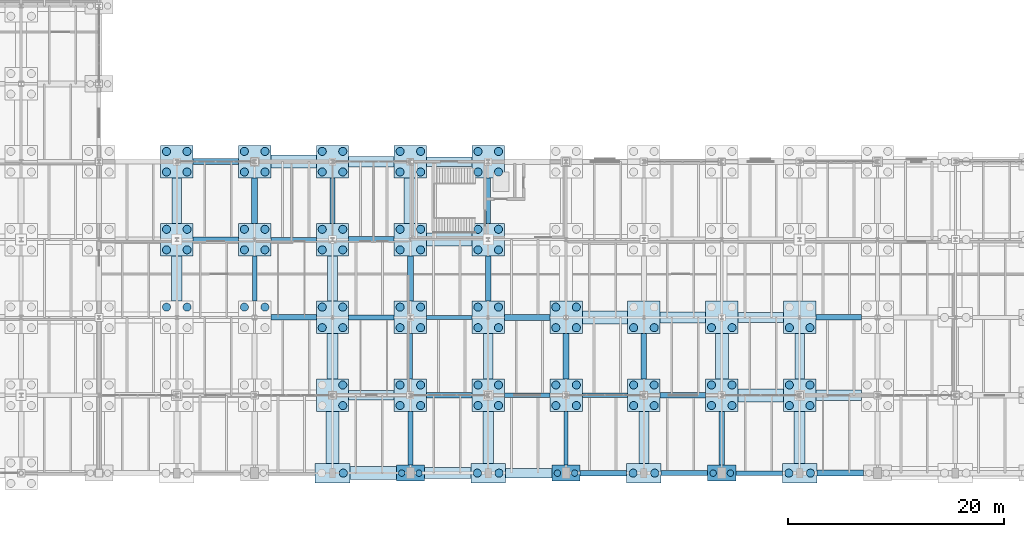
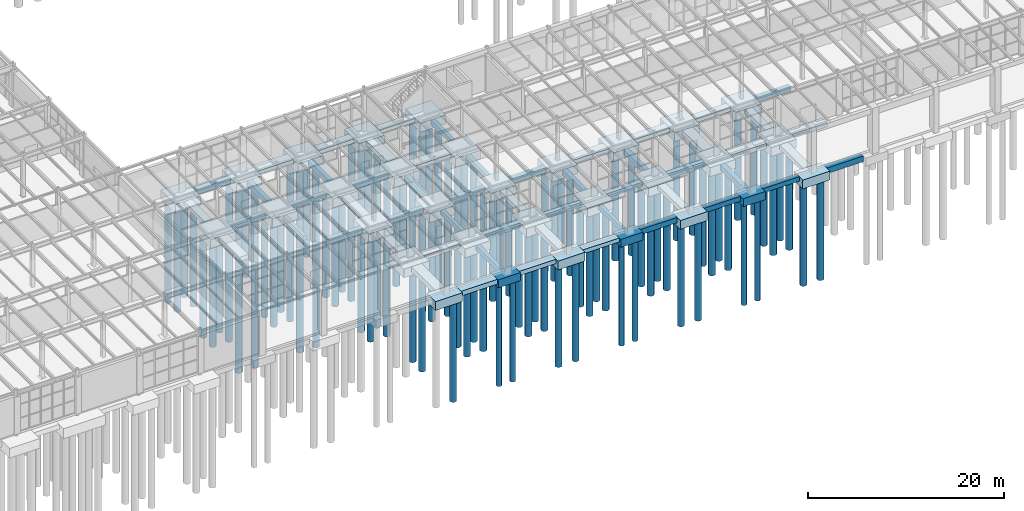
# One storey, part 5 of 293: 105 piles, 85 footings.
"""IFC4 building model written with IfcOpenShell, lengths in metres."""

import ifcopenshell
import ifcopenshell.guid

model = None  # the IFC model being written
_history = None  # IfcOwnerHistory: only IFC2X3 demands one
_inside = {}  # id of a spatial element -> (the spatial element, [elements in it])
_under = {}  # id of a project, library or spatial element -> (it, [spatial elements below it])
_declared = {}  # id of a project -> (the project, [libraries it declares])
_typed = {}  # id of a type object -> (the type object, [elements of that type])
_made_of = {}  # id of a material, layer set ... -> (it, [elements and type objects made of it])


def new_model(schema):
    """Start an empty IFC model of exactly this schema.

    Asked for "IFC4X3", IfcOpenShell would pick the latest addendum, in which some entities
    have other attributes; the version numbers below select the first issue.
    IFC2X3 requires an IfcOwnerHistory on every rooted entity: one is made here for all.
    """
    global model, _history
    if schema == "IFC4X3":
        model = ifcopenshell.file(schema_version=(4, 3, 0, 0))
    else:
        model = ifcopenshell.file(schema=schema)
    _inside.clear()
    _under.clear()
    _declared.clear()
    _typed.clear()
    _made_of.clear()
    _history = None
    if model.schema == "IFC2X3":
        org = make("IfcOrganization", Name="unknown")
        user = make(
            "IfcPersonAndOrganization",
            ThePerson=make("IfcPerson", FamilyName="unknown"),
            TheOrganization=org,
        )
        app = make(
            "IfcApplication",
            ApplicationDeveloper=org,
            Version="unknown",
            ApplicationFullName="unknown",
            ApplicationIdentifier="unknown",
        )
        _history = make(
            "IfcOwnerHistory",
            OwningUser=user,
            OwningApplication=app,
            ChangeAction="ADDED",
            CreationDate=0,
        )
    return model


def make(cls, **values):
    """One entity of the class cls with the attributes given. An attribute that is None is left unset."""
    return model.create_entity(
        cls, **{name: value for name, value in values.items() if value is not None}
    )


def rooted(cls, **values):
    """An entity with a GlobalId (a new one), such as an element, a storey or a relation."""
    return make(cls, GlobalId=ifcopenshell.guid.new(), OwnerHistory=_history, **values)


def si_unit(unit_type, name, prefix=None):
    """IfcSIUnit, for example si_unit("LENGTHUNIT", "METRE", prefix="MILLI")."""
    return make("IfcSIUnit", UnitType=unit_type, Prefix=prefix, Name=name)


def assignment(units):
    """IfcUnitAssignment: the units of a project."""
    return None if units is None else make("IfcUnitAssignment", Units=units)


def point(xyz):
    """IfcCartesianPoint."""
    return None if xyz is None else make("IfcCartesianPoint", Coordinates=xyz)


def direction(xyz):
    """IfcDirection."""
    return None if xyz is None else make("IfcDirection", DirectionRatios=xyz)


def frame(location, z_axis=None, x_axis=None):
    """IfcAxis2Placement3D, a coordinate frame: its origin and axes. An axis left out is left unset."""
    return make(
        "IfcAxis2Placement3D",
        Location=point(location),
        Axis=direction(z_axis),
        RefDirection=direction(x_axis),
    )


def frame_2d(location, x_axis=None):
    """IfcAxis2Placement2D, a coordinate frame in the plane: its origin and x axis."""
    return make(
        "IfcAxis2Placement2D", Location=point(location), RefDirection=direction(x_axis)
    )


def origin():
    """The frame at (0, 0, 0) with its axes left unset."""
    return frame((0.0, 0.0, 0.0))


def origin_2d():
    """The frame at (0, 0) in the plane with its x axis left unset."""
    return frame_2d((0.0, 0.0))


def place(relative_to, where):
    """IfcLocalPlacement: puts the frame where relative to a parent placement (None: the world)."""
    return make(
        "IfcLocalPlacement", PlacementRelTo=relative_to, RelativePlacement=where
    )


def context(
    kind, dimensions, precision=None, world=None, true_north=None, identifier=None
):
    """IfcGeometricRepresentationContext, for example the 3D "Model" context."""
    return make(
        "IfcGeometricRepresentationContext",
        ContextIdentifier=identifier,
        ContextType=kind,
        CoordinateSpaceDimension=dimensions,
        Precision=precision,
        WorldCoordinateSystem=world,
        TrueNorth=true_north,
    )


def subcontext(parent, identifier, kind, view, scale=None):
    """IfcGeometricRepresentationSubContext, for example "Body" below "Model"."""
    return make(
        "IfcGeometricRepresentationSubContext",
        ContextIdentifier=identifier,
        ContextType=kind,
        ParentContext=parent,
        TargetScale=scale,
        TargetView=view,
    )


def project(units=None, contexts=None):
    """IfcProject with its units and contexts."""
    return rooted(
        "IfcProject",
        Name="project",
        RepresentationContexts=contexts,
        UnitsInContext=assignment(units),
    )


def spatial(cls, under=None, at=None, **own):
    """A site, building, storey or space (cls), placed at a placement, below another one or the project."""
    s = rooted(cls, ObjectPlacement=at, **own)
    if under is not None:
        _under.setdefault(under.id(), (under, []))[1].append(s)
    return s


def profile(cls, at=None, kind="AREA", **sizes):
    """A parametric profile (cls). Its sizes go by their IFC names, for example OverallWidth=200.0."""
    return make(cls, ProfileType=kind, Position=at, **sizes)


def rectangle(**sizes):
    """IfcRectangleProfileDef."""
    return profile("IfcRectangleProfileDef", **sizes)


def circle(**sizes):
    """IfcCircleProfileDef."""
    return profile("IfcCircleProfileDef", **sizes)


def extrude(swept, where, along, depth):
    """IfcExtrudedAreaSolid: the profile swept, set in the frame where, extruded along a direction by depth."""
    return make(
        "IfcExtrudedAreaSolid",
        SweptArea=swept,
        Position=where,
        ExtrudedDirection=direction(along),
        Depth=depth,
    )


def shape(context_of_items, identifier, shape_type, items):
    """IfcShapeRepresentation: the items that make up one representation, for example the "Body"."""
    return make(
        "IfcShapeRepresentation",
        ContextOfItems=context_of_items,
        RepresentationIdentifier=identifier,
        RepresentationType=shape_type,
        Items=items,
    )


def material(Name=None, Category=None):
    """IfcMaterial."""
    return make("IfcMaterial", Name=Name, Category=Category)


def material_profile(
    of_material, cross_section, Name=None, Category=None, Priority=None
):
    """IfcMaterialProfile: a cross section and its material."""
    return make(
        "IfcMaterialProfile",
        Name=Name,
        Material=of_material,
        Profile=cross_section,
        Priority=Priority,
        Category=Category,
    )


def profile_set(profiles, Name=None, composite=None):
    """IfcMaterialProfileSet."""
    return make(
        "IfcMaterialProfileSet",
        Name=Name,
        MaterialProfiles=profiles,
        CompositeProfile=composite,
    )


def made_of(thing, what):
    """Note that an element or type object is made of a material, layer set ...; save() writes the relation."""
    if what is not None:
        _made_of.setdefault(what.id(), (what, []))[1].append(thing)
    return thing


def type_object(cls, material=None, **own):
    """A type object (cls), such as IfcWallType, which elements share."""
    return made_of(rooted(cls, **own), material)


def element(
    cls,
    number,
    at=None,
    inside=None,
    cuts=None,
    type_object=None,
    material=None,
    context=None,
    identifier="Body",
    shape_type=None,
    held_by="IfcProductDefinitionShape",
    body=None,
    shapes=None,
    **own,
):
    """One element of the class cls, such as IfcWall. Its Tag is "e" and its number.

    at: its placement. inside: the storey or other place that contains it. cuts: it is an
    opening in that element (IfcRelVoidsElement). A single representation is given by context,
    identifier, shape_type and body (its items); several are given by shapes. held_by: the class
    of the entity that holds the representations. save() writes the other relations.
    """
    e = rooted(cls, Tag="e%d" % number, ObjectPlacement=at, **own)
    if body is not None:
        shapes = [shape(context, identifier, shape_type, body)]
    if shapes is not None:
        e.Representation = make(held_by, Representations=shapes)
    if inside is not None:
        _inside.setdefault(inside.id(), (inside, []))[1].append(e)
    if cuts is not None:
        rooted(
            "IfcRelVoidsElement", RelatingBuildingElement=cuts, RelatedOpeningElement=e
        )
    if type_object is not None:
        _typed.setdefault(type_object.id(), (type_object, []))[1].append(e)
    return made_of(e, material)


def aggregate(whole, parts):
    """IfcRelAggregates: a whole, such as a stair, and the parts it consists of."""
    return rooted("IfcRelAggregates", RelatingObject=whole, RelatedObjects=parts)


def save(model, path):
    """Write the relations noted so far, then the file.

    IfcRelAggregates (storeys below a building ...), IfcRelContainedInSpatialStructure (elements
    in a storey), IfcRelDefinesByType, IfcRelAssociatesMaterial and IfcRelDeclares: one each for
    every whole, place, type object, material and project.
    """
    for whole, parts in _under.values():
        aggregate(whole, parts)
    for where, things in _inside.values():
        rooted(
            "IfcRelContainedInSpatialStructure",
            RelatedElements=things,
            RelatingStructure=where,
        )
    for kind, things in _typed.values():
        rooted("IfcRelDefinesByType", RelatedObjects=things, RelatingType=kind)
    for what, things in _made_of.values():
        rooted("IfcRelAssociatesMaterial", RelatedObjects=things, RelatingMaterial=what)
    for by, libraries in _declared.values():
        rooted("IfcRelDeclares", RelatingContext=by, RelatedDefinitions=libraries)
    model.write(path)


model = new_model("IFC4")

# Units and contexts
model_context = context("Model", 3, precision=1e-05, world=origin(), true_north=direction((0.0, 1.0)))
body_context = subcontext(model_context, "Body", "Model", "MODEL_VIEW")
ifc_project = project(units=[si_unit("LENGTHUNIT", "METRE"), si_unit("AREAUNIT", "SQUARE_METRE"), si_unit("VOLUMEUNIT", "CUBIC_METRE"), si_unit("PLANEANGLEUNIT", "RADIAN"), si_unit("MASSUNIT", "GRAM", prefix="KILO")], contexts=[model_context])

# Site, building, storey
site_placement = place(None, origin())
site = spatial("IfcSite", under=ifc_project, at=site_placement, CompositionType="ELEMENT")
building_placement = place(site_placement, origin())
building = spatial("IfcBuilding", under=site, at=building_placement, Name="Kemerveld Promenade Tramway Depot", CompositionType="ELEMENT")
storey_placement = place(building_placement, origin())
storey = spatial("IfcBuildingStorey", under=building, at=storey_placement, Name="L00", CompositionType="ELEMENT", Elevation=0.0)

# Footings
ifc_material = material(Name="Concrete C35/45", Category="concrete")
footing_type_1 = type_object("IfcFootingType", Name="FT-GB01", PredefinedType="FOOTING_BEAM", material=ifc_material)
footing_1_placement = place(storey_placement, frame((104.25, 0.0, -0.949951171875), z_axis=(0.0, 0.0, 1.0), x_axis=(1.0, 0.0, 0.0)))
element("IfcFooting", 1, at=footing_1_placement, inside=storey, type_object=footing_type_1, Name="GBX-15-16-A", PredefinedType="FOOTING_BEAM", context=body_context, shape_type="SweptSolid", body=[
    extrude(rectangle(XDim=4.300048828125, YDim=0.5, at=origin_2d()), origin(), (0.0, 0.0, 1.0), 0.64990234375),
])
for number, where, z_axis, x_axis, name in (
    (2, (90.0, 7.199951171875, -0.949951171875), (0.0, 0.0, 1.0), (1.0, 0.0, 0.0), "GBX-13-14-B"),
    (3, (75.60009765625, 14.39990234375, -0.949951171875), (0.0, 0.0, 1.0), (1.0, 0.0, 0.0), "GBX-11-12-C"),
    (4, (126.0, 14.39990234375, -0.949951171875), (0.0, 0.0, 1.0), (1.0, 0.0, 0.0), "GBX-18-19-C"),
    (5, (79.199951171875, 25.199951171875, -0.949951171875), (0.0, 0.0, 1.0), (0.0, 1.0, 0.0), "GBY-12-D-E"),
    (6, (93.60009765625, 18.0, -0.949951171875), (0.0, 0.0, 1.0), (0.0, 1.0, 0.0), "GBY-14-C-D"),
    (7, (108.0, 10.800048828125, -0.949951171875), (0.0, 0.0, 1.0), (0.0, 1.0, 0.0), "GBY-16-B-C"),
):
    element("IfcFooting", number, at=place(storey_placement, frame(where, z_axis=z_axis, x_axis=x_axis)), inside=storey, type_object=footing_type_1, Name=name, PredefinedType="FOOTING_BEAM", context=body_context, shape_type="SweptSolid", body=[
        extrude(rectangle(XDim=4.199951171875, YDim=0.5, at=origin_2d()), origin(), (0.0, 0.0, 1.0), 0.64990234375),
    ])
footing_type_2 = type_object("IfcFootingType", Name="FT-GB02", PredefinedType="FOOTING_BEAM", material=ifc_material)
footing_2_placement = place(storey_placement, frame((111.75, 0.0, -0.900146484375), z_axis=(0.0, 0.0, 1.0), x_axis=(1.0, 0.0, 0.0)))
element("IfcFooting", 8, at=footing_2_placement, inside=storey, type_object=footing_type_2, Name="GBX-16-17-A", PredefinedType="FOOTING_BEAM", context=body_context, shape_type="SweptSolid", body=[
    extrude(rectangle(XDim=4.300048828125, YDim=0.449951171875, at=origin_2d()), origin(), (0.0, 0.0, 1.0), 0.60009765625),
])
for number, where, z_axis, x_axis, name in (
    (9, (97.199951171875, 7.199951171875, -0.900146484375), (0.0, 0.0, 1.0), (1.0, 0.0, 0.0), "GBX-14-15-B"),
    (10, (82.800048828125, 14.39990234375, -0.900146484375), (0.0, 0.0, 1.0), (1.0, 0.0, 0.0), "GBX-12-13-C"),
    (11, (68.39990234375, 21.60009765625, -0.900146484375), (0.0, 0.0, 1.0), (1.0, 0.0, 0.0), "GBX-10-11-D"),
):
    element("IfcFooting", number, at=place(storey_placement, frame(where, z_axis=z_axis, x_axis=x_axis)), inside=storey, type_object=footing_type_2, Name=name, PredefinedType="FOOTING_BEAM", context=body_context, shape_type="SweptSolid", body=[
        extrude(rectangle(XDim=4.199951171875, YDim=0.449951171875, at=origin_2d()), origin(), (0.0, 0.0, 1.0), 0.60009765625),
    ])
footing_3_placement = place(storey_placement, frame((86.39990234375, 3.22509765625, -0.900146484375), z_axis=(0.0, 0.0, 1.0), x_axis=(0.0, 1.0, 0.0)))
element("IfcFooting", 12, at=footing_3_placement, inside=storey, type_object=footing_type_2, Name="GBY-13-A-B", PredefinedType="FOOTING_BEAM", context=body_context, shape_type="SweptSolid", body=[
    extrude(rectangle(XDim=4.949951171875, YDim=0.449951171875, at=origin_2d()), origin(), (0.0, 0.0, 1.0), 0.60009765625),
])
footing_4_placement = place(storey_placement, frame((93.60009765625, 25.199951171875, -0.900146484375), z_axis=(0.0, 0.0, 1.0), x_axis=(0.0, 1.0, 0.0)))
element("IfcFooting", 13, at=footing_4_placement, inside=storey, type_object=footing_type_2, Name="GBY-14-D-E", PredefinedType="FOOTING_BEAM", context=body_context, shape_type="SweptSolid", body=[
    extrude(rectangle(XDim=4.199951171875, YDim=0.449951171875, at=origin_2d()), origin(), (0.0, 0.0, 1.0), 0.60009765625),
])
footing_type_3 = type_object("IfcFootingType", Name="FT-GB03", PredefinedType="FOOTING_BEAM", material=ifc_material)
footing_5_placement = place(storey_placement, frame((118.64990234375, 0.0, -0.85009765625), z_axis=(0.0, 0.0, 1.0), x_axis=(1.0, 0.0, 0.0)))
element("IfcFooting", 14, at=footing_5_placement, inside=storey, type_object=footing_type_3, Name="GBX-17-18-A", PredefinedType="FOOTING_BEAM", context=body_context, shape_type="SweptSolid", body=[
    extrude(rectangle(XDim=4.300048828125, YDim=0.39990234375, at=origin_2d()), origin(), (0.0, 0.0, 1.0), 0.550048828125),
])
for number, where, z_axis, x_axis, name in (
    (15, (104.39990234375, 7.199951171875, -0.85009765625), (0.0, 0.0, 1.0), (1.0, 0.0, 0.0), "GBX-15-16-B"),
    (16, (90.0, 14.39990234375, -0.85009765625), (0.0, 0.0, 1.0), (1.0, 0.0, 0.0), "GBX-13-14-C"),
    (17, (75.60009765625, 21.60009765625, -0.85009765625), (0.0, 0.0, 1.0), (1.0, 0.0, 0.0), "GBX-11-12-D"),
    (18, (72.0, 18.0, -0.85009765625), (0.0, 0.0, 1.0), (0.0, 1.0, 0.0), "GBY-11-C-D"),
    (19, (86.39990234375, 10.800048828125, -0.85009765625), (0.0, 0.0, 1.0), (0.0, 1.0, 0.0), "GBY-13-B-C"),
):
    element("IfcFooting", number, at=place(storey_placement, frame(where, z_axis=z_axis, x_axis=x_axis)), inside=storey, type_object=footing_type_3, Name=name, PredefinedType="FOOTING_BEAM", context=body_context, shape_type="SweptSolid", body=[
        extrude(rectangle(XDim=4.199951171875, YDim=0.39990234375, at=origin_2d()), origin(), (0.0, 0.0, 1.0), 0.550048828125),
    ])
footing_6_placement = place(storey_placement, frame((100.800048828125, 3.22509765625, -0.85009765625), z_axis=(0.0, 0.0, 1.0), x_axis=(0.0, 1.0, 0.0)))
element("IfcFooting", 20, at=footing_6_placement, inside=storey, type_object=footing_type_3, Name="GBY-15-A-B", PredefinedType="FOOTING_BEAM", context=body_context, shape_type="SweptSolid", body=[
    extrude(rectangle(XDim=4.949951171875, YDim=0.39990234375, at=origin_2d()), origin(), (0.0, 0.0, 1.0), 0.550048828125),
])
footing_type_4 = type_object("IfcFootingType", Name="FT-GB04", PredefinedType="FOOTING_BEAM", material=ifc_material)
footing_7_placement = place(storey_placement, frame((126.14990234375, 0.0, -1.0), z_axis=(0.0, 0.0, 1.0), x_axis=(1.0, 0.0, 0.0)))
element("IfcFooting", 21, at=footing_7_placement, inside=storey, type_object=footing_type_4, Name="GBX-18-19-A", PredefinedType="FOOTING_BEAM", context=body_context, shape_type="SweptSolid", body=[
    extrude(rectangle(XDim=4.300048828125, YDim=0.550048828125, at=origin_2d()), origin(), (0.0, 0.0, 1.0), 0.699951171875),
])
for number, where, z_axis, x_axis, name in (
    (22, (111.60009765625, 7.199951171875, -1.0), (0.0, 0.0, 1.0), (1.0, 0.0, 0.0), "GBX-16-17-B"),
    (23, (97.199951171875, 14.39990234375, -1.0), (0.0, 0.0, 1.0), (1.0, 0.0, 0.0), "GBX-14-15-C"),
    (24, (82.800048828125, 21.60009765625, -1.0), (0.0, 0.0, 1.0), (1.0, 0.0, 0.0), "GBX-12-13-D"),
    (25, (68.39990234375, 28.800048828125, -1.0), (0.0, 0.0, 1.0), (1.0, 0.0, 0.0), "GBX-10-11-E"),
    (26, (72.0, 25.199951171875, -1.0), (0.0, 0.0, 1.0), (0.0, 1.0, 0.0), "GBY-11-D-E"),
    (27, (86.39990234375, 18.0, -1.0), (0.0, 0.0, 1.0), (0.0, 1.0, 0.0), "GBY-13-C-D"),
    (28, (100.800048828125, 10.800048828125, -1.0), (0.0, 0.0, 1.0), (0.0, 1.0, 0.0), "GBY-15-B-C"),
):
    element("IfcFooting", number, at=place(storey_placement, frame(where, z_axis=z_axis, x_axis=x_axis)), inside=storey, type_object=footing_type_4, Name=name, PredefinedType="FOOTING_BEAM", context=body_context, shape_type="SweptSolid", body=[
        extrude(rectangle(XDim=4.199951171875, YDim=0.550048828125, at=origin_2d()), origin(), (0.0, 0.0, 1.0), 0.699951171875),
    ])
footing_8_placement = place(storey_placement, frame((115.199951171875, 3.22509765625, -1.0), z_axis=(0.0, 0.0, 1.0), x_axis=(0.0, 1.0, 0.0)))
element("IfcFooting", 29, at=footing_8_placement, inside=storey, type_object=footing_type_4, Name="GBY-17-A-B", PredefinedType="FOOTING_BEAM", context=body_context, shape_type="SweptSolid", body=[
    extrude(rectangle(XDim=4.949951171875, YDim=0.550048828125, at=origin_2d()), origin(), (0.0, 0.0, 1.0), 0.699951171875),
])
footing_type_5 = type_object("IfcFootingType", Name="FT-PC05", PredefinedType="PILE_CAP", material=ifc_material)
for number, where, z_axis, x_axis, name in (
    (30, (64.800048828125, 21.60009765625, -1.400146484375), (0.0, 0.0, 1.0), (1.0, 0.0, 0.0), "FT-10-D"),
    (31, (64.800048828125, 28.800048828125, -1.400146484375), (0.0, 0.0, 1.0), (1.0, 0.0, 0.0), "FT-10-E"),
    (32, (72.0, 21.60009765625, -1.400146484375), (0.0, 0.0, 1.0), (1.0, 0.0, 0.0), "FT-11-D"),
    (33, (72.0, 28.800048828125, -1.400146484375), (0.0, 0.0, 1.0), (1.0, 0.0, 0.0), "FT-11-E"),
    (34, (79.199951171875, 7.199951171875, -1.400146484375), (0.0, 0.0, 1.0), (1.0, 0.0, 0.0), "FT-12-B"),
    (35, (79.199951171875, 14.39990234375, -1.400146484375), (0.0, 0.0, 1.0), (1.0, 0.0, 0.0), "FT-12-C"),
    (36, (79.199951171875, 21.60009765625, -1.400146484375), (0.0, 0.0, 1.0), (1.0, 0.0, 0.0), "FT-12-D"),
    (37, (79.199951171875, 28.800048828125, -1.400146484375), (0.0, 0.0, 1.0), (1.0, 0.0, 0.0), "FT-12-E"),
    (38, (86.39990234375, 7.199951171875, -1.400146484375), (0.0, 0.0, 1.0), (1.0, 0.0, 0.0), "FT-13-B"),
    (39, (86.39990234375, 14.39990234375, -1.400146484375), (0.0, 0.0, 1.0), (1.0, 0.0, 0.0), "FT-13-C"),
    (40, (86.39990234375, 21.60009765625, -1.400146484375), (0.0, 0.0, 1.0), (1.0, 0.0, 0.0), "FT-13-D"),
    (41, (86.39990234375, 28.800048828125, -1.400146484375), (0.0, 0.0, 1.0), (1.0, 0.0, 0.0), "FT-13-E"),
    (42, (93.60009765625, 7.199951171875, -1.400146484375), (0.0, 0.0, 1.0), (1.0, 0.0, 0.0), "FT-14-B"),
    (43, (93.60009765625, 14.39990234375, -1.400146484375), (0.0, 0.0, 1.0), (1.0, 0.0, 0.0), "FT-14-C"),
    (44, (93.60009765625, 21.60009765625, -1.400146484375), (0.0, 0.0, 1.0), (1.0, 0.0, 0.0), "FT-14-D"),
    (45, (93.60009765625, 28.800048828125, -1.400146484375), (0.0, 0.0, 1.0), (1.0, 0.0, 0.0), "FT-14-E"),
    (46, (100.800048828125, 7.199951171875, -1.400146484375), (0.0, 0.0, 1.0), (1.0, 0.0, 0.0), "FT-15-B"),
    (47, (100.800048828125, 14.39990234375, -1.400146484375), (0.0, 0.0, 1.0), (1.0, 0.0, 0.0), "FT-15-C"),
    (48, (108.0, 7.199951171875, -1.400146484375), (0.0, 0.0, 1.0), (1.0, 0.0, 0.0), "FT-16-B"),
    (49, (108.0, 14.39990234375, -1.400146484375), (0.0, 0.0, 1.0), (1.0, 0.0, 0.0), "FT-16-C"),
    (50, (115.199951171875, 7.199951171875, -1.400146484375), (0.0, 0.0, 1.0), (1.0, 0.0, 0.0), "FT-17-B"),
    (51, (115.199951171875, 14.39990234375, -1.400146484375), (0.0, 0.0, 1.0), (1.0, 0.0, 0.0), "FT-17-C"),
    (52, (122.39990234375, 7.199951171875, -1.400146484375), (0.0, 0.0, 1.0), (1.0, 0.0, 0.0), "FT-18-B"),
    (53, (122.39990234375, 14.39990234375, -1.400146484375), (0.0, 0.0, 1.0), (1.0, 0.0, 0.0), "FT-18-C"),
):
    element("IfcFooting", number, at=place(storey_placement, frame(where, z_axis=z_axis, x_axis=x_axis)), inside=storey, type_object=footing_type_5, Name=name, PredefinedType="PILE_CAP", context=body_context, shape_type="SweptSolid", body=[
        extrude(rectangle(XDim=3.0, YDim=3.0, at=origin_2d()), origin(), (0.0, 0.0, 1.0), 1.10009765625),
    ])
footing_type_6 = type_object("IfcFootingType", Name="FT-PC06", PredefinedType="PILE_CAP", material=ifc_material)
for number, where, z_axis, x_axis, name in (
    (54, (79.199951171875, 0.0, -1.400146484375), (0.0, 0.0, 1.0), (1.0, 0.0, 0.0), "FT-12-A"),
    (55, (93.60009765625, 0.0, -1.400146484375), (0.0, 0.0, 1.0), (1.0, 0.0, 0.0), "FT-14-A"),
    (56, (108.0, 0.0, -1.400146484375), (0.0, 0.0, 1.0), (1.0, 0.0, 0.0), "FT-16-A"),
    (57, (122.39990234375, 0.0, -1.400146484375), (0.0, 0.0, 1.0), (1.0, 0.0, 0.0), "FT-18-A"),
):
    element("IfcFooting", number, at=place(storey_placement, frame(where, z_axis=z_axis, x_axis=x_axis)), inside=storey, type_object=footing_type_6, Name=name, PredefinedType="PILE_CAP", context=body_context, shape_type="SweptSolid", body=[
        extrude(rectangle(XDim=3.199951171875, YDim=1.800048828125, at=origin_2d()), origin(), (0.0, 0.0, 1.0), 1.10009765625),
    ])
footing_type_7 = type_object("IfcFootingType", Name="FT-PC08", PredefinedType="PILE_CAP", material=ifc_material)
for number, where, z_axis, x_axis, name in (
    (58, (86.39990234375, 0.0, -1.300048828125), (0.0, 0.0, 1.0), (1.0, 0.0, 0.0), "FT-13-A"),
    (59, (100.800048828125, 0.0, -1.300048828125), (0.0, 0.0, 1.0), (1.0, 0.0, 0.0), "FT-15-A"),
    (60, (115.199951171875, 0.0, -1.300048828125), (0.0, 0.0, 1.0), (1.0, 0.0, 0.0), "FT-17-A"),
):
    element("IfcFooting", number, at=place(storey_placement, frame(where, z_axis=z_axis, x_axis=x_axis)), inside=storey, type_object=footing_type_7, Name=name, PredefinedType="PILE_CAP", context=body_context, shape_type="SweptSolid", body=[
        extrude(rectangle(XDim=2.60009765625, YDim=1.5, at=origin_2d()), origin(), (0.0, 0.0, 1.0), 1.0),
    ])
footing_type_8 = type_object("IfcFootingType", Name="FT-SF01", PredefinedType="STRIP_FOOTING", material=ifc_material)
footing_9_placement = place(storey_placement, frame((82.949951171875, 0.0, -0.900146484375), z_axis=(0.0, 0.0, 1.0), x_axis=(1.0, 0.0, 0.0)))
element("IfcFooting", 61, at=footing_9_placement, inside=storey, type_object=footing_type_8, Name="GBX-12-13-A", PredefinedType="STRIP_FOOTING", context=body_context, shape_type="SweptSolid", body=[
    extrude(rectangle(XDim=4.300048828125, YDim=1.199951171875, at=origin_2d()), origin(), (0.0, 0.0, 1.0), 0.60009765625),
])
for number, where, z_axis, x_axis, name in (
    (62, (118.800048828125, 7.199951171875, -0.900146484375), (0.0, 0.0, 1.0), (1.0, 0.0, 0.0), "GBX-17-18-B"),
    (63, (104.39990234375, 14.39990234375, -0.900146484375), (0.0, 0.0, 1.0), (1.0, 0.0, 0.0), "GBX-15-16-C"),
    (64, (90.0, 21.60009765625, -0.900146484375), (0.0, 0.0, 1.0), (1.0, 0.0, 0.0), "GBX-13-14-D"),
    (65, (75.60009765625, 28.800048828125, -0.900146484375), (0.0, 0.0, 1.0), (1.0, 0.0, 0.0), "GBX-11-12-E"),
):
    element("IfcFooting", number, at=place(storey_placement, frame(where, z_axis=z_axis, x_axis=x_axis)), inside=storey, type_object=footing_type_8, Name=name, PredefinedType="STRIP_FOOTING", context=body_context, shape_type="SweptSolid", body=[
        extrude(rectangle(XDim=4.199951171875, YDim=1.199951171875, at=origin_2d()), origin(), (0.0, 0.0, 1.0), 0.60009765625),
    ])
footing_10_placement = place(storey_placement, frame((79.199951171875, 3.300048828125, -0.900146484375), z_axis=(0.0, 0.0, 1.0), x_axis=(0.0, 1.0, 0.0)))
element("IfcFooting", 66, at=footing_10_placement, inside=storey, type_object=footing_type_8, Name="GBY-12-A-B", PredefinedType="STRIP_FOOTING", context=body_context, shape_type="SweptSolid", body=[
    extrude(rectangle(XDim=4.800048828125, YDim=1.199951171875, at=origin_2d()), origin(), (0.0, 0.0, 1.0), 0.60009765625),
])
for number, where, z_axis, x_axis, name in (
    (67, (86.39990234375, 25.199951171875, -0.900146484375), (0.0, 0.0, 1.0), (0.0, 1.0, 0.0), "GBY-13-D-E"),
    (68, (115.199951171875, 10.800048828125, -0.900146484375), (0.0, 0.0, 1.0), (0.0, 1.0, 0.0), "GBY-17-B-C"),
):
    element("IfcFooting", number, at=place(storey_placement, frame(where, z_axis=z_axis, x_axis=x_axis)), inside=storey, type_object=footing_type_8, Name=name, PredefinedType="STRIP_FOOTING", context=body_context, shape_type="SweptSolid", body=[
        extrude(rectangle(XDim=4.199951171875, YDim=1.199951171875, at=origin_2d()), origin(), (0.0, 0.0, 1.0), 0.60009765625),
    ])
footing_type_9 = type_object("IfcFootingType", Name="FT-SF02", PredefinedType="STRIP_FOOTING", material=ifc_material)
footing_11_placement = place(storey_placement, frame((89.85009765625, 0.0, -0.85009765625), z_axis=(0.0, 0.0, 1.0), x_axis=(1.0, 0.0, 0.0)))
element("IfcFooting", 69, at=footing_11_placement, inside=storey, type_object=footing_type_9, Name="GBX-13-14-A", PredefinedType="STRIP_FOOTING", context=body_context, shape_type="SweptSolid", body=[
    extrude(rectangle(XDim=4.300048828125, YDim=1.0, at=origin_2d()), origin(), (0.0, 0.0, 1.0), 0.550048828125),
])
for number, where, z_axis, x_axis, name in (
    (70, (126.0, 7.199951171875, -0.85009765625), (0.0, 0.0, 1.0), (1.0, 0.0, 0.0), "GBX-18-19-B"),
    (71, (111.60009765625, 14.39990234375, -0.85009765625), (0.0, 0.0, 1.0), (1.0, 0.0, 0.0), "GBX-16-17-C"),
    (72, (82.800048828125, 28.800048828125, -0.85009765625), (0.0, 0.0, 1.0), (1.0, 0.0, 0.0), "GBX-12-13-E"),
    (73, (64.800048828125, 18.0, -0.85009765625), (0.0, 0.0, 1.0), (0.0, 1.0, 0.0), "GBY-10-C-D"),
    (74, (79.199951171875, 10.800048828125, -0.85009765625), (0.0, 0.0, 1.0), (0.0, 1.0, 0.0), "GBY-12-B-C"),
):
    element("IfcFooting", number, at=place(storey_placement, frame(where, z_axis=z_axis, x_axis=x_axis)), inside=storey, type_object=footing_type_9, Name=name, PredefinedType="STRIP_FOOTING", context=body_context, shape_type="SweptSolid", body=[
        extrude(rectangle(XDim=4.199951171875, YDim=1.0, at=origin_2d()), origin(), (0.0, 0.0, 1.0), 0.550048828125),
    ])
for number, where, z_axis, x_axis, name in (
    (75, (93.60009765625, 3.300048828125, -0.85009765625), (0.0, 0.0, 1.0), (0.0, 1.0, 0.0), "GBY-14-A-B"),
    (76, (122.39990234375, 3.300048828125, -0.85009765625), (0.0, 0.0, 1.0), (0.0, 1.0, 0.0), "GBY-18-A-B"),
):
    element("IfcFooting", number, at=place(storey_placement, frame(where, z_axis=z_axis, x_axis=x_axis)), inside=storey, type_object=footing_type_9, Name=name, PredefinedType="STRIP_FOOTING", context=body_context, shape_type="SweptSolid", body=[
        extrude(rectangle(XDim=4.800048828125, YDim=1.0, at=origin_2d()), origin(), (0.0, 0.0, 1.0), 0.550048828125),
    ])
footing_type_10 = type_object("IfcFootingType", Name="FT-SF03", PredefinedType="STRIP_FOOTING", material=ifc_material)
footing_12_placement = place(storey_placement, frame((97.35009765625, 0.0, -0.800048828125), z_axis=(0.0, 0.0, 1.0), x_axis=(1.0, 0.0, 0.0)))
element("IfcFooting", 77, at=footing_12_placement, inside=storey, type_object=footing_type_10, Name="GBX-14-15-A", PredefinedType="STRIP_FOOTING", context=body_context, shape_type="SweptSolid", body=[
    extrude(rectangle(XDim=4.300048828125, YDim=0.89990234375, at=origin_2d()), origin(), (0.0, 0.0, 1.0), 0.5),
])
for number, where, z_axis, x_axis, name in (
    (78, (82.800048828125, 7.199951171875, -0.800048828125), (0.0, 0.0, 1.0), (1.0, 0.0, 0.0), "GBX-12-13-B"),
    (79, (118.800048828125, 14.39990234375, -0.800048828125), (0.0, 0.0, 1.0), (1.0, 0.0, 0.0), "GBX-17-18-C"),
    (80, (90.0, 28.800048828125, -0.800048828125), (0.0, 0.0, 1.0), (1.0, 0.0, 0.0), "GBX-13-14-E"),
    (81, (64.800048828125, 25.199951171875, -0.800048828125), (0.0, 0.0, 1.0), (0.0, 1.0, 0.0), "GBY-10-D-E"),
    (82, (79.199951171875, 18.0, -0.800048828125), (0.0, 0.0, 1.0), (0.0, 1.0, 0.0), "GBY-12-C-D"),
    (83, (93.60009765625, 10.800048828125, -0.800048828125), (0.0, 0.0, 1.0), (0.0, 1.0, 0.0), "GBY-14-B-C"),
):
    element("IfcFooting", number, at=place(storey_placement, frame(where, z_axis=z_axis, x_axis=x_axis)), inside=storey, type_object=footing_type_10, Name=name, PredefinedType="STRIP_FOOTING", context=body_context, shape_type="SweptSolid", body=[
        extrude(rectangle(XDim=4.199951171875, YDim=0.89990234375, at=origin_2d()), origin(), (0.0, 0.0, 1.0), 0.5),
    ])
footing_13_placement = place(storey_placement, frame((108.0, 3.300048828125, -0.800048828125), z_axis=(0.0, 0.0, 1.0), x_axis=(0.0, 1.0, 0.0)))
element("IfcFooting", 84, at=footing_13_placement, inside=storey, type_object=footing_type_10, Name="GBY-16-A-B", PredefinedType="STRIP_FOOTING", context=body_context, shape_type="SweptSolid", body=[
    extrude(rectangle(XDim=4.800048828125, YDim=0.89990234375, at=origin_2d()), origin(), (0.0, 0.0, 1.0), 0.5),
])
footing_14_placement = place(storey_placement, frame((122.39990234375, 10.800048828125, -0.800048828125), z_axis=(0.0, 0.0, 1.0), x_axis=(0.0, 1.0, 0.0)))
element("IfcFooting", 85, at=footing_14_placement, inside=storey, type_object=footing_type_10, Name="GBY-18-B-C", PredefinedType="STRIP_FOOTING", context=body_context, shape_type="SweptSolid", body=[
    extrude(rectangle(XDim=4.199951171875, YDim=0.89990234375, at=origin_2d()), origin(), (0.0, 0.0, 1.0), 0.5),
])

# Piles
ifc_material_profile_1 = material_profile(ifc_material, circle(Radius=0.300048828125, at=origin_2d()), Name="PILE-D600")
ifc_profile_set_1 = profile_set([ifc_material_profile_1], Name="Concrete C35/45")
pile_type_1 = type_object("IfcPileType", Name="PL-BOR-600", PredefinedType="BORED", material=ifc_profile_set_1)
for number, where, z_axis, x_axis, name in (
    (86, (85.60009765625, 0.0, -1.199951171875), (0.0, 0.0, -1.0), (1.0, 0.0, 0.0), "PIL-13-A-1"),
    (87, (87.199951171875, 0.0, -1.199951171875), (0.0, 0.0, -1.0), (1.0, 0.0, 0.0), "PIL-13-A-2"),
    (88, (100.0, 0.0, -1.199951171875), (0.0, 0.0, -1.0), (1.0, 0.0, 0.0), "PIL-15-A-1"),
    (89, (101.60009765625, 0.0, -1.199951171875), (0.0, 0.0, -1.0), (1.0, 0.0, 0.0), "PIL-15-A-2"),
    (90, (114.39990234375, 0.0, -1.199951171875), (0.0, 0.0, -1.0), (1.0, 0.0, 0.0), "PIL-17-A-1"),
    (91, (116.0, 0.0, -1.199951171875), (0.0, 0.0, -1.0), (1.0, 0.0, 0.0), "PIL-17-A-2"),
):
    element("IfcPile", number, at=place(storey_placement, frame(where, z_axis=z_axis, x_axis=x_axis)), inside=storey, type_object=pile_type_1, Name=name, PredefinedType="BORED", context=body_context, shape_type="SweptSolid", body=[
        extrude(circle(Radius=0.300048828125, at=origin_2d()), origin(), (0.0, 0.0, 1.0), 12.800048828125),
    ])
ifc_material_profile_2 = material_profile(ifc_material, circle(Radius=0.375, at=origin_2d()), Name="PILE-D750")
ifc_profile_set_2 = profile_set([ifc_material_profile_2], Name="Concrete C35/45")
pile_type_2 = type_object("IfcPileType", Name="PL-BOR-750", PredefinedType="BORED", material=ifc_profile_set_2)
for number, where, z_axis, x_axis, name in (
    (92, (63.85009765625, 15.35009765625, -1.300048828125), (0.0, 0.0, -1.0), (1.0, 0.0, 0.0), "PIL-10-C-3"),
    (93, (65.75, 15.35009765625, -1.300048828125), (0.0, 0.0, -1.0), (1.0, 0.0, 0.0), "PIL-10-C-4"),
    (94, (63.85009765625, 20.64990234375, -1.300048828125), (0.0, 0.0, -1.0), (1.0, 0.0, 0.0), "PIL-10-D-1"),
    (95, (65.75, 20.64990234375, -1.300048828125), (0.0, 0.0, -1.0), (1.0, 0.0, 0.0), "PIL-10-D-2"),
    (96, (63.85009765625, 22.550048828125, -1.300048828125), (0.0, 0.0, -1.0), (1.0, 0.0, 0.0), "PIL-10-D-3"),
    (97, (65.75, 22.550048828125, -1.300048828125), (0.0, 0.0, -1.0), (1.0, 0.0, 0.0), "PIL-10-D-4"),
    (98, (63.85009765625, 27.85009765625, -1.300048828125), (0.0, 0.0, -1.0), (1.0, 0.0, 0.0), "PIL-10-E-1"),
    (99, (65.75, 27.85009765625, -1.300048828125), (0.0, 0.0, -1.0), (1.0, 0.0, 0.0), "PIL-10-E-2"),
    (100, (63.85009765625, 29.75, -1.300048828125), (0.0, 0.0, -1.0), (1.0, 0.0, 0.0), "PIL-10-E-3"),
    (101, (65.75, 29.75, -1.300048828125), (0.0, 0.0, -1.0), (1.0, 0.0, 0.0), "PIL-10-E-4"),
    (102, (71.050048828125, 15.35009765625, -1.300048828125), (0.0, 0.0, -1.0), (1.0, 0.0, 0.0), "PIL-11-C-3"),
    (103, (72.949951171875, 15.35009765625, -1.300048828125), (0.0, 0.0, -1.0), (1.0, 0.0, 0.0), "PIL-11-C-4"),
    (104, (71.050048828125, 20.64990234375, -1.300048828125), (0.0, 0.0, -1.0), (1.0, 0.0, 0.0), "PIL-11-D-1"),
    (105, (72.949951171875, 20.64990234375, -1.300048828125), (0.0, 0.0, -1.0), (1.0, 0.0, 0.0), "PIL-11-D-2"),
    (106, (71.050048828125, 22.550048828125, -1.300048828125), (0.0, 0.0, -1.0), (1.0, 0.0, 0.0), "PIL-11-D-3"),
    (107, (72.949951171875, 22.550048828125, -1.300048828125), (0.0, 0.0, -1.0), (1.0, 0.0, 0.0), "PIL-11-D-4"),
    (108, (71.050048828125, 27.85009765625, -1.300048828125), (0.0, 0.0, -1.0), (1.0, 0.0, 0.0), "PIL-11-E-1"),
    (109, (72.949951171875, 27.85009765625, -1.300048828125), (0.0, 0.0, -1.0), (1.0, 0.0, 0.0), "PIL-11-E-2"),
    (110, (71.050048828125, 29.75, -1.300048828125), (0.0, 0.0, -1.0), (1.0, 0.0, 0.0), "PIL-11-E-3"),
    (111, (72.949951171875, 29.75, -1.300048828125), (0.0, 0.0, -1.0), (1.0, 0.0, 0.0), "PIL-11-E-4"),
    (112, (80.199951171875, 0.0, -1.300048828125), (0.0, 0.0, -1.0), (1.0, 0.0, 0.0), "PIL-12-A-2"),
    (113, (80.14990234375, 6.25, -1.300048828125), (0.0, 0.0, -1.0), (1.0, 0.0, 0.0), "PIL-12-B-2"),
    (114, (80.14990234375, 8.14990234375, -1.300048828125), (0.0, 0.0, -1.0), (1.0, 0.0, 0.0), "PIL-12-B-4"),
    (115, (78.25, 13.449951171875, -1.300048828125), (0.0, 0.0, -1.0), (1.0, 0.0, 0.0), "PIL-12-C-1"),
    (116, (80.14990234375, 13.449951171875, -1.300048828125), (0.0, 0.0, -1.0), (1.0, 0.0, 0.0), "PIL-12-C-2"),
    (117, (78.25, 15.35009765625, -1.300048828125), (0.0, 0.0, -1.0), (1.0, 0.0, 0.0), "PIL-12-C-3"),
    (118, (80.14990234375, 15.35009765625, -1.300048828125), (0.0, 0.0, -1.0), (1.0, 0.0, 0.0), "PIL-12-C-4"),
    (119, (78.25, 20.64990234375, -1.300048828125), (0.0, 0.0, -1.0), (1.0, 0.0, 0.0), "PIL-12-D-1"),
    (120, (80.14990234375, 20.64990234375, -1.300048828125), (0.0, 0.0, -1.0), (1.0, 0.0, 0.0), "PIL-12-D-2"),
    (121, (78.25, 22.550048828125, -1.300048828125), (0.0, 0.0, -1.0), (1.0, 0.0, 0.0), "PIL-12-D-3"),
    (122, (80.14990234375, 22.550048828125, -1.300048828125), (0.0, 0.0, -1.0), (1.0, 0.0, 0.0), "PIL-12-D-4"),
    (123, (78.25, 27.85009765625, -1.300048828125), (0.0, 0.0, -1.0), (1.0, 0.0, 0.0), "PIL-12-E-1"),
    (124, (80.14990234375, 27.85009765625, -1.300048828125), (0.0, 0.0, -1.0), (1.0, 0.0, 0.0), "PIL-12-E-2"),
    (125, (78.25, 29.75, -1.300048828125), (0.0, 0.0, -1.0), (1.0, 0.0, 0.0), "PIL-12-E-3"),
    (126, (80.14990234375, 29.75, -1.300048828125), (0.0, 0.0, -1.0), (1.0, 0.0, 0.0), "PIL-12-E-4"),
    (127, (85.449951171875, 6.25, -1.300048828125), (0.0, 0.0, -1.0), (1.0, 0.0, 0.0), "PIL-13-B-1"),
    (128, (87.35009765625, 6.25, -1.300048828125), (0.0, 0.0, -1.0), (1.0, 0.0, 0.0), "PIL-13-B-2"),
    (129, (85.449951171875, 8.14990234375, -1.300048828125), (0.0, 0.0, -1.0), (1.0, 0.0, 0.0), "PIL-13-B-3"),
    (130, (87.35009765625, 8.14990234375, -1.300048828125), (0.0, 0.0, -1.0), (1.0, 0.0, 0.0), "PIL-13-B-4"),
    (131, (85.449951171875, 13.449951171875, -1.300048828125), (0.0, 0.0, -1.0), (1.0, 0.0, 0.0), "PIL-13-C-1"),
    (132, (87.35009765625, 13.449951171875, -1.300048828125), (0.0, 0.0, -1.0), (1.0, 0.0, 0.0), "PIL-13-C-2"),
    (133, (85.449951171875, 15.35009765625, -1.300048828125), (0.0, 0.0, -1.0), (1.0, 0.0, 0.0), "PIL-13-C-3"),
    (134, (87.35009765625, 15.35009765625, -1.300048828125), (0.0, 0.0, -1.0), (1.0, 0.0, 0.0), "PIL-13-C-4"),
    (135, (85.449951171875, 20.64990234375, -1.300048828125), (0.0, 0.0, -1.0), (1.0, 0.0, 0.0), "PIL-13-D-1"),
    (136, (87.35009765625, 20.64990234375, -1.300048828125), (0.0, 0.0, -1.0), (1.0, 0.0, 0.0), "PIL-13-D-2"),
    (137, (85.449951171875, 22.550048828125, -1.300048828125), (0.0, 0.0, -1.0), (1.0, 0.0, 0.0), "PIL-13-D-3"),
    (138, (87.35009765625, 22.550048828125, -1.300048828125), (0.0, 0.0, -1.0), (1.0, 0.0, 0.0), "PIL-13-D-4"),
    (139, (85.449951171875, 27.85009765625, -1.300048828125), (0.0, 0.0, -1.0), (1.0, 0.0, 0.0), "PIL-13-E-1"),
    (140, (87.35009765625, 27.85009765625, -1.300048828125), (0.0, 0.0, -1.0), (1.0, 0.0, 0.0), "PIL-13-E-2"),
    (141, (85.449951171875, 29.75, -1.300048828125), (0.0, 0.0, -1.0), (1.0, 0.0, 0.0), "PIL-13-E-3"),
    (142, (87.35009765625, 29.75, -1.300048828125), (0.0, 0.0, -1.0), (1.0, 0.0, 0.0), "PIL-13-E-4"),
    (143, (92.60009765625, 0.0, -1.300048828125), (0.0, 0.0, -1.0), (1.0, 0.0, 0.0), "PIL-14-A-1"),
    (144, (94.60009765625, 0.0, -1.300048828125), (0.0, 0.0, -1.0), (1.0, 0.0, 0.0), "PIL-14-A-2"),
    (145, (92.64990234375, 6.25, -1.300048828125), (0.0, 0.0, -1.0), (1.0, 0.0, 0.0), "PIL-14-B-1"),
    (146, (94.550048828125, 6.25, -1.300048828125), (0.0, 0.0, -1.0), (1.0, 0.0, 0.0), "PIL-14-B-2"),
    (147, (92.64990234375, 8.14990234375, -1.300048828125), (0.0, 0.0, -1.0), (1.0, 0.0, 0.0), "PIL-14-B-3"),
    (148, (94.550048828125, 8.14990234375, -1.300048828125), (0.0, 0.0, -1.0), (1.0, 0.0, 0.0), "PIL-14-B-4"),
    (149, (92.64990234375, 13.449951171875, -1.300048828125), (0.0, 0.0, -1.0), (1.0, 0.0, 0.0), "PIL-14-C-1"),
    (150, (94.550048828125, 13.449951171875, -1.300048828125), (0.0, 0.0, -1.0), (1.0, 0.0, 0.0), "PIL-14-C-2"),
    (151, (92.64990234375, 15.35009765625, -1.300048828125), (0.0, 0.0, -1.0), (1.0, 0.0, 0.0), "PIL-14-C-3"),
    (152, (94.550048828125, 15.35009765625, -1.300048828125), (0.0, 0.0, -1.0), (1.0, 0.0, 0.0), "PIL-14-C-4"),
    (153, (92.64990234375, 20.64990234375, -1.300048828125), (0.0, 0.0, -1.0), (1.0, 0.0, 0.0), "PIL-14-D-1"),
    (154, (94.550048828125, 20.64990234375, -1.300048828125), (0.0, 0.0, -1.0), (1.0, 0.0, 0.0), "PIL-14-D-2"),
    (155, (92.64990234375, 22.550048828125, -1.300048828125), (0.0, 0.0, -1.0), (1.0, 0.0, 0.0), "PIL-14-D-3"),
    (156, (94.550048828125, 22.550048828125, -1.300048828125), (0.0, 0.0, -1.0), (1.0, 0.0, 0.0), "PIL-14-D-4"),
    (157, (92.64990234375, 27.85009765625, -1.300048828125), (0.0, 0.0, -1.0), (1.0, 0.0, 0.0), "PIL-14-E-1"),
    (158, (94.550048828125, 27.85009765625, -1.300048828125), (0.0, 0.0, -1.0), (1.0, 0.0, 0.0), "PIL-14-E-2"),
    (159, (92.64990234375, 29.75, -1.300048828125), (0.0, 0.0, -1.0), (1.0, 0.0, 0.0), "PIL-14-E-3"),
    (160, (94.550048828125, 29.75, -1.300048828125), (0.0, 0.0, -1.0), (1.0, 0.0, 0.0), "PIL-14-E-4"),
    (161, (99.85009765625, 6.25, -1.300048828125), (0.0, 0.0, -1.0), (1.0, 0.0, 0.0), "PIL-15-B-1"),
    (162, (101.75, 6.25, -1.300048828125), (0.0, 0.0, -1.0), (1.0, 0.0, 0.0), "PIL-15-B-2"),
    (163, (99.85009765625, 8.14990234375, -1.300048828125), (0.0, 0.0, -1.0), (1.0, 0.0, 0.0), "PIL-15-B-3"),
    (164, (101.75, 8.14990234375, -1.300048828125), (0.0, 0.0, -1.0), (1.0, 0.0, 0.0), "PIL-15-B-4"),
    (165, (99.85009765625, 13.449951171875, -1.300048828125), (0.0, 0.0, -1.0), (1.0, 0.0, 0.0), "PIL-15-C-1"),
    (166, (101.75, 13.449951171875, -1.300048828125), (0.0, 0.0, -1.0), (1.0, 0.0, 0.0), "PIL-15-C-2"),
    (167, (99.85009765625, 15.35009765625, -1.300048828125), (0.0, 0.0, -1.0), (1.0, 0.0, 0.0), "PIL-15-C-3"),
    (168, (101.75, 15.35009765625, -1.300048828125), (0.0, 0.0, -1.0), (1.0, 0.0, 0.0), "PIL-15-C-4"),
    (169, (107.0, 0.0, -1.300048828125), (0.0, 0.0, -1.0), (1.0, 0.0, 0.0), "PIL-16-A-1"),
    (170, (109.0, 0.0, -1.300048828125), (0.0, 0.0, -1.0), (1.0, 0.0, 0.0), "PIL-16-A-2"),
    (171, (107.050048828125, 6.25, -1.300048828125), (0.0, 0.0, -1.0), (1.0, 0.0, 0.0), "PIL-16-B-1"),
    (172, (108.949951171875, 6.25, -1.300048828125), (0.0, 0.0, -1.0), (1.0, 0.0, 0.0), "PIL-16-B-2"),
    (173, (107.050048828125, 8.14990234375, -1.300048828125), (0.0, 0.0, -1.0), (1.0, 0.0, 0.0), "PIL-16-B-3"),
    (174, (108.949951171875, 8.14990234375, -1.300048828125), (0.0, 0.0, -1.0), (1.0, 0.0, 0.0), "PIL-16-B-4"),
    (175, (107.050048828125, 13.449951171875, -1.300048828125), (0.0, 0.0, -1.0), (1.0, 0.0, 0.0), "PIL-16-C-1"),
    (176, (108.949951171875, 13.449951171875, -1.300048828125), (0.0, 0.0, -1.0), (1.0, 0.0, 0.0), "PIL-16-C-2"),
    (177, (114.25, 6.25, -1.300048828125), (0.0, 0.0, -1.0), (1.0, 0.0, 0.0), "PIL-17-B-1"),
    (178, (116.14990234375, 6.25, -1.300048828125), (0.0, 0.0, -1.0), (1.0, 0.0, 0.0), "PIL-17-B-2"),
    (179, (114.25, 8.14990234375, -1.300048828125), (0.0, 0.0, -1.0), (1.0, 0.0, 0.0), "PIL-17-B-3"),
    (180, (116.14990234375, 8.14990234375, -1.300048828125), (0.0, 0.0, -1.0), (1.0, 0.0, 0.0), "PIL-17-B-4"),
    (181, (114.25, 13.449951171875, -1.300048828125), (0.0, 0.0, -1.0), (1.0, 0.0, 0.0), "PIL-17-C-1"),
    (182, (116.14990234375, 13.449951171875, -1.300048828125), (0.0, 0.0, -1.0), (1.0, 0.0, 0.0), "PIL-17-C-2"),
    (183, (121.39990234375, 0.0, -1.300048828125), (0.0, 0.0, -1.0), (1.0, 0.0, 0.0), "PIL-18-A-1"),
    (184, (123.39990234375, 0.0, -1.300048828125), (0.0, 0.0, -1.0), (1.0, 0.0, 0.0), "PIL-18-A-2"),
    (185, (121.449951171875, 6.25, -1.300048828125), (0.0, 0.0, -1.0), (1.0, 0.0, 0.0), "PIL-18-B-1"),
    (186, (123.35009765625, 6.25, -1.300048828125), (0.0, 0.0, -1.0), (1.0, 0.0, 0.0), "PIL-18-B-2"),
    (187, (121.449951171875, 8.14990234375, -1.300048828125), (0.0, 0.0, -1.0), (1.0, 0.0, 0.0), "PIL-18-B-3"),
    (188, (123.35009765625, 8.14990234375, -1.300048828125), (0.0, 0.0, -1.0), (1.0, 0.0, 0.0), "PIL-18-B-4"),
    (189, (121.449951171875, 13.449951171875, -1.300048828125), (0.0, 0.0, -1.0), (1.0, 0.0, 0.0), "PIL-18-C-1"),
    (190, (123.35009765625, 13.449951171875, -1.300048828125), (0.0, 0.0, -1.0), (1.0, 0.0, 0.0), "PIL-18-C-2"),
):
    element("IfcPile", number, at=place(storey_placement, frame(where, z_axis=z_axis, x_axis=x_axis)), inside=storey, type_object=pile_type_2, Name=name, PredefinedType="BORED", context=body_context, shape_type="SweptSolid", body=[
        extrude(circle(Radius=0.375, at=origin_2d()), origin(), (0.0, 0.0, 1.0), 12.699951171875),
    ])

save(model, "model.ifc")
